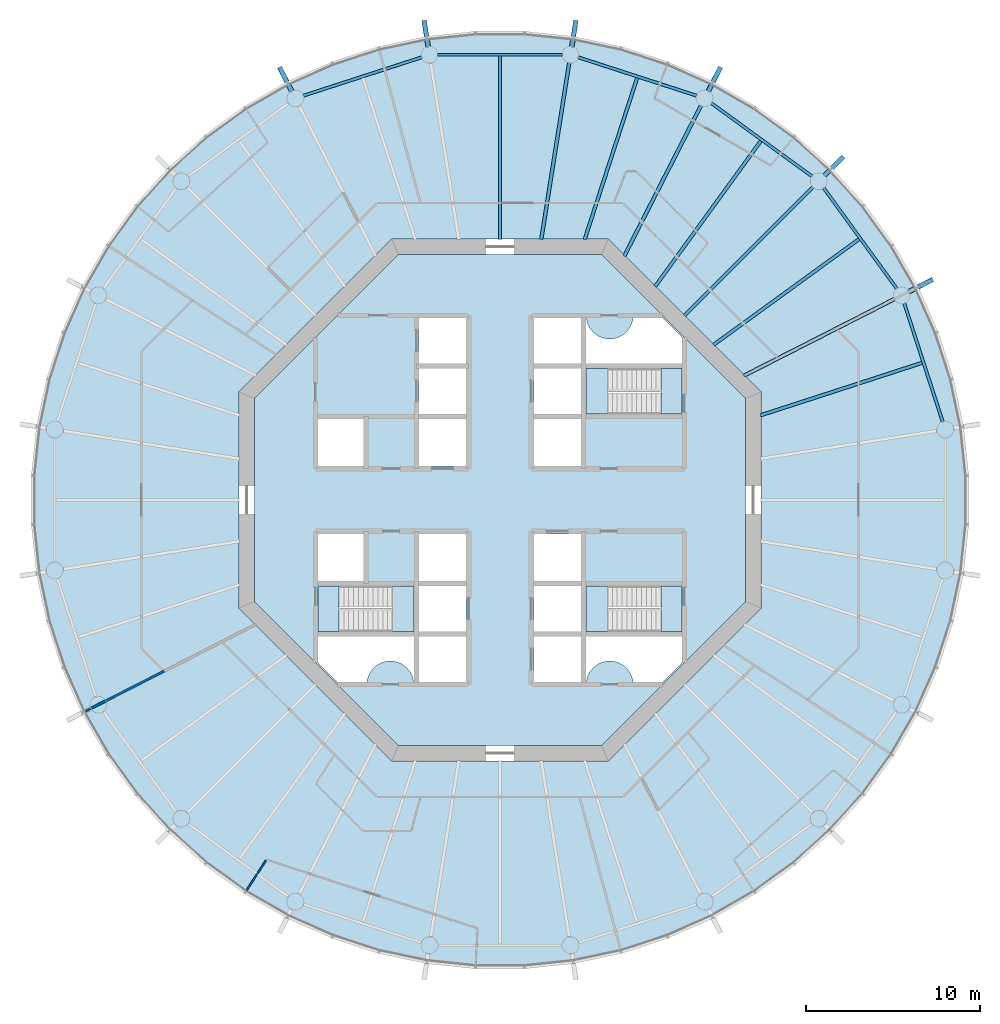
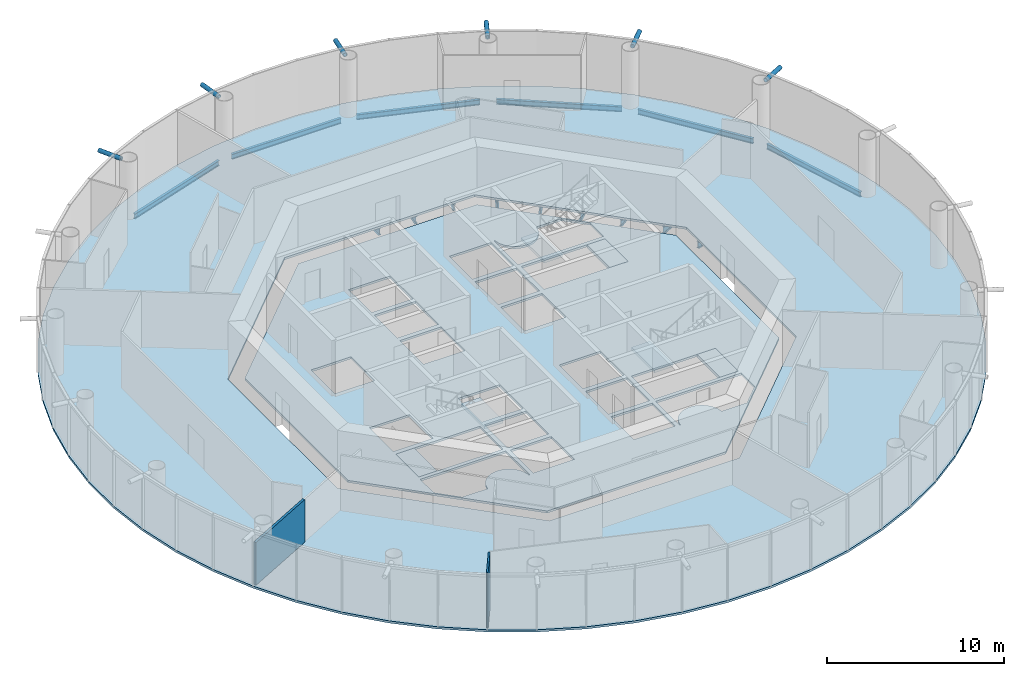
# One storey, part 2 of 13: 15 beams, 8 slabs, 6 members, 2 walls, 3 elements without a shape of their own.
"""IFC4 building model written with IfcOpenShell, lengths in metres."""

from ifc_helpers import new_model, si_unit, direction, frame, frame_2d, origin, origin_2d, place, context, subcontext, project, spatial, polyline, rectangle, circle, hollow_circle, i_section, outline, extrude, material, layer, layer_set, material_profile, profile_set, type_object, element, aggregate, save


model = new_model("IFC4")

# Units and contexts
model_context = context("Model", 3, precision=1e-05, world=origin(), true_north=direction((0.0, 1.0)))
body_context = subcontext(model_context, "Body", "Model", "MODEL_VIEW")
ifc_project = project(units=[si_unit("LENGTHUNIT", "METRE"), si_unit("AREAUNIT", "SQUARE_METRE"), si_unit("VOLUMEUNIT", "CUBIC_METRE"), si_unit("PLANEANGLEUNIT", "RADIAN"), si_unit("MASSUNIT", "GRAM", prefix="KILO")], contexts=[model_context])

# Site, building, storey
site_placement = place(None, origin())
site = spatial("IfcSite", under=ifc_project, at=site_placement, CompositionType="ELEMENT")
building_placement = place(site_placement, origin())
building = spatial("IfcBuilding", under=site, at=building_placement, Name="Entoto Ring Tower", CompositionType="ELEMENT")
storey_placement = place(building_placement, frame((0.0, 0.0, 226.0)))
storey = spatial("IfcBuildingStorey", under=building, at=storey_placement, Name="L52", CompositionType="ELEMENT", Elevation=226.0)

# Members
ifc_material_1 = material(Name="Steel S355", Category="steel")
ifc_material_profile_1 = material_profile(ifc_material_1, hollow_circle(Radius=0.136474609375, WallThickness=0.012451171875, at=origin_2d()), Name="CHS 273 x 12.5")
ifc_material_2 = material(Name="Concrete C60/75", Category="concrete")
ifc_material_profile_2 = material_profile(ifc_material_2, circle(Radius=0.1240234375, at=origin_2d()), Name="Concrete C60/75 infill")
ifc_profile_set_1 = profile_set([ifc_material_profile_1, ifc_material_profile_2], Name="Steel S355")
member_type = type_object("IfcMemberType", Name="Diagrid node strut 273 x 12.5", PredefinedType="STRUT", material=ifc_profile_set_1)
member_1_placement = place(storey_placement, frame((113.48779296875, 91.967529296875, 3.71337890625), z_axis=(0.891006809714, 0.453989939363, 0.0), x_axis=(-0.453989939363, 0.891006809714, 0.0)))
element("IfcMember", 1, at=member_1_placement, inside=storey, type_object=member_type, Name="DS2 strut ring 16 02", PredefinedType="STRUT", context=body_context, shape_type="SweptSolid", body=[
    extrude(hollow_circle(Radius=0.136474609375, WallThickness=0.012451171875, at=origin_2d()), origin(), (0.0, 0.0, 1.0), 1.5390625),
])
member_2_placement = place(storey_placement, frame((108.639892578125, 98.639892578125, 3.71337890625), z_axis=(0.707106781187, 0.707106781187, 0.0), x_axis=(-0.707106781187, 0.707106781187, 0.0)))
element("IfcMember", 2, at=member_2_placement, inside=storey, type_object=member_type, Name="DS2 strut ring 16 03", PredefinedType="STRUT", context=body_context, shape_type="SweptSolid", body=[
    extrude(hollow_circle(Radius=0.136474609375, WallThickness=0.012451171875, at=origin_2d()), origin(), (0.0, 0.0, 1.0), 1.539306640625),
])
for number, where, z_axis, x_axis, name in (
    (3, (101.967529296875, 103.48779296875, 3.71337890625), (0.453989939363, 0.891006809714, 0.0), (-0.891006809714, 0.453989939363, 0.0), "DS2 strut ring 16 04"),
    (4, (94.123779296875, 106.036376953125, 3.71337890625), (0.156418753192, 0.987690828979, 0.0), (-0.987690828979, 0.156418753192, 0.0), "DS2 strut ring 16 05"),
    (5, (85.876220703125, 106.036376953125, 3.71337890625), (-0.156418753192, 0.987690828979, 0.0), (-0.987690828979, -0.156418753192, 0.0), "DS2 strut ring 16 06"),
    (6, (78.032470703125, 103.48779296875, 3.71337890625), (-0.453989939363, 0.891006809714, 0.0), (-0.891006809714, -0.453989939363, 0.0), "DS2 strut ring 16 07"),
):
    element("IfcMember", number, at=place(storey_placement, frame(where, z_axis=z_axis, x_axis=x_axis)), inside=storey, type_object=member_type, Name=name, PredefinedType="STRUT", context=body_context, shape_type="SweptSolid", body=[
        extrude(hollow_circle(Radius=0.136474609375, WallThickness=0.012451171875, at=origin_2d()), origin(), (0.0, 0.0, 1.0), 1.5390625),
    ])

# Beams
ifc_material_3 = material(Name="Steel S355", Category="steel")
ifc_material_profile_3 = material_profile(ifc_material_3, i_section(OverallWidth=0.169921875, OverallDepth=0.360107421875, WebThickness=0.008056640625, FlangeThickness=0.0126953125, FilletRadius=0.01806640625, at=origin_2d()), Name="IPE 360")
ifc_profile_set_2 = profile_set([ifc_material_profile_3], Name="Steel S355")
beam_type_1 = type_object("IfcBeamType", Name="Edge beam IPE 360", PredefinedType="SPANDREL", material=ifc_profile_set_2)
beam_1_placement = place(storey_placement, frame((115.43505859375, 84.501220703125, -0.330078125), z_axis=(-0.309015118354, 0.951057125849, 0.0), x_axis=(-0.951057125849, -0.309015118354, 0.0)))
element("IfcBeam", 7, at=beam_1_placement, inside=storey, type_object=beam_type_1, Name="Edge beam L52 01", PredefinedType="SPANDREL", context=body_context, shape_type="SweptSolid", body=[
    extrude(i_section(OverallWidth=0.169921875, OverallDepth=0.360107421875, WebThickness=0.008056640625, FlangeThickness=0.0126953125, FilletRadius=0.01806640625, at=origin_2d()), origin(), (0.0, 0.0, 1.0), 7.157958984375),
])
for number, where, z_axis, x_axis, name in (
    (8, (112.79931640625, 92.140625, -0.330078125), (-0.587794432314, 0.809010324619, 0.0), (-0.809010324619, -0.587794432314, 0.0), "Edge beam L52 02"),
    (9, (107.931640625, 98.591796875, -0.330078125), (-0.809010324619, 0.587794432314, 0.0), (-0.587794432314, -0.809010324619, 0.0), "Edge beam L52 03"),
):
    element("IfcBeam", number, at=place(storey_placement, frame(where, z_axis=z_axis, x_axis=x_axis)), inside=storey, type_object=beam_type_1, Name=name, PredefinedType="SPANDREL", context=body_context, shape_type="SweptSolid", body=[
        extrude(i_section(OverallWidth=0.169921875, OverallDepth=0.360107421875, WebThickness=0.008056640625, FlangeThickness=0.0126953125, FilletRadius=0.01806640625, at=origin_2d()), origin(), (0.0, 0.0, 1.0), 7.158203125),
    ])
beam_2_placement = place(storey_placement, frame((101.308837890625, 103.22314453125, -0.330078125), z_axis=(-0.951057125849, 0.309015118354, 0.0), x_axis=(-0.309015118354, -0.951057125849, 0.0)))
element("IfcBeam", 10, at=beam_2_placement, inside=storey, type_object=beam_type_1, Name="Edge beam L52 04", PredefinedType="SPANDREL", context=body_context, shape_type="SweptSolid", body=[
    extrude(i_section(OverallWidth=0.169921875, OverallDepth=0.360107421875, WebThickness=0.008056640625, FlangeThickness=0.0126953125, FilletRadius=0.01806640625, at=origin_2d()), origin(), (0.0, 0.0, 1.0), 7.157958984375),
])
beam_3_placement = place(storey_placement, frame((93.5791015625, 105.5810546875, -0.330078125), z_axis=(-1.0, 0.0, 0.0), x_axis=(0.0, -1.0, 0.0)))
element("IfcBeam", 11, at=beam_3_placement, inside=storey, type_object=beam_type_1, Name="Edge beam L52 05", PredefinedType="SPANDREL", context=body_context, shape_type="SweptSolid", body=[
    extrude(i_section(OverallWidth=0.169921875, OverallDepth=0.360107421875, WebThickness=0.008056640625, FlangeThickness=0.0126953125, FilletRadius=0.01806640625, at=origin_2d()), origin(), (0.0, 0.0, 1.0), 7.158203125),
])
beam_4_placement = place(storey_placement, frame((85.498779296875, 105.43505859375, -0.330078125), z_axis=(-0.951057125849, -0.309015118354, 0.0), x_axis=(0.309015118354, -0.951057125849, 0.0)))
element("IfcBeam", 12, at=beam_4_placement, inside=storey, type_object=beam_type_1, Name="Edge beam L52 06", PredefinedType="SPANDREL", context=body_context, shape_type="SweptSolid", body=[
    extrude(i_section(OverallWidth=0.169921875, OverallDepth=0.360107421875, WebThickness=0.008056640625, FlangeThickness=0.0126953125, FilletRadius=0.01806640625, at=origin_2d()), origin(), (0.0, 0.0, 1.0), 7.157958984375),
])
ifc_material_4 = material(Name="Steel S355", Category="steel")
ifc_material_profile_4 = material_profile(ifc_material_4, i_section(OverallWidth=0.199951171875, OverallDepth=0.5, WebThickness=0.01025390625, FlangeThickness=0.01611328125, FilletRadius=0.02099609375, at=origin_2d()), Name="IPE 500")
ifc_profile_set_3 = profile_set([ifc_material_profile_4], Name="Steel S355")
beam_type_2 = type_object("IfcBeamType", Name="Primary floor beam IPE 500", PredefinedType="BEAM", material=ifc_profile_set_3)
beam_5_placement = place(storey_placement, frame((104.006103515625, 87.136474609375, -0.39990234375), z_axis=(0.891012442297, 0.45397888461, 0.0), x_axis=(-0.45397888461, 0.891012442297, 0.0)))
element("IfcBeam", 13, at=beam_5_placement, inside=storey, type_object=beam_type_2, Name="Primary L52 R02", PredefinedType="BEAM", context=body_context, shape_type="SweptSolid", body=[
    extrude(i_section(OverallWidth=0.199951171875, OverallDepth=0.5, WebThickness=0.01025390625, FlangeThickness=0.01611328125, FilletRadius=0.02099609375, at=origin_2d()), origin(), (0.0, 0.0, 1.0), 9.710693359375),
])
beam_6_placement = place(storey_placement, frame((100.592529296875, 90.592529296875, -0.39990234375), z_axis=(0.707106781187, 0.707106781187, 0.0), x_axis=(-0.707106781187, 0.707106781187, 0.0)))
element("IfcBeam", 14, at=beam_6_placement, inside=storey, type_object=beam_type_2, Name="Primary L52 R03", PredefinedType="BEAM", context=body_context, shape_type="SweptSolid", body=[
    extrude(i_section(OverallWidth=0.199951171875, OverallDepth=0.5, WebThickness=0.01025390625, FlangeThickness=0.01611328125, FilletRadius=0.02099609375, at=origin_2d()), origin(), (0.0, 0.0, 1.0), 10.4501953125),
])
beam_7_placement = place(storey_placement, frame((97.136474609375, 94.006103515625, -0.39990234375), z_axis=(0.45397888461, 0.891012442297, 0.0), x_axis=(-0.891012442297, 0.45397888461, 0.0)))
element("IfcBeam", 15, at=beam_7_placement, inside=storey, type_object=beam_type_2, Name="Primary L52 R04", PredefinedType="BEAM", context=body_context, shape_type="SweptSolid", body=[
    extrude(i_section(OverallWidth=0.199951171875, OverallDepth=0.5, WebThickness=0.01025390625, FlangeThickness=0.01611328125, FilletRadius=0.02099609375, at=origin_2d()), origin(), (0.0, 0.0, 1.0), 9.710693359375),
])
beam_8_placement = place(storey_placement, frame((92.3701171875, 94.964599609375, -0.39990234375), z_axis=(0.156451644281, 0.987685619518, 0.0), x_axis=(-0.987685619518, 0.156451644281, 0.0)))
element("IfcBeam", 16, at=beam_8_placement, inside=storey, type_object=beam_type_2, Name="Primary L52 R05", PredefinedType="BEAM", context=body_context, shape_type="SweptSolid", body=[
    extrude(i_section(OverallWidth=0.199951171875, OverallDepth=0.5, WebThickness=0.01025390625, FlangeThickness=0.01611328125, FilletRadius=0.02099609375, at=origin_2d()), origin(), (0.0, 0.0, 1.0), 10.27880859375),
])
ifc_material_5 = material(Name="Steel S355", Category="steel")
ifc_material_profile_5 = material_profile(ifc_material_5, i_section(OverallWidth=0.18994140625, OverallDepth=0.449951171875, WebThickness=0.009521484375, FlangeThickness=0.0146484375, FilletRadius=0.02099609375, at=origin_2d()), Name="IPE 450")
ifc_profile_set_4 = profile_set([ifc_material_profile_5], Name="Steel S355")
beam_type_3 = type_object("IfcBeamType", Name="Secondary floor beam IPE 450", PredefinedType="JOIST", material=ifc_profile_set_4)
beam_9_placement = place(storey_placement, frame((104.95166015625, 84.858154296875, -0.375), z_axis=(0.951061045963, 0.309003053144, 0.0), x_axis=(-0.309003053144, 0.951061045963, 0.0)))
element("IfcBeam", 17, at=beam_9_placement, inside=storey, type_object=beam_type_3, Name="Secondary beam L52 01", PredefinedType="JOIST", context=body_context, shape_type="SweptSolid", body=[
    extrude(i_section(OverallWidth=0.18994140625, OverallDepth=0.449951171875, WebThickness=0.009521484375, FlangeThickness=0.0146484375, FilletRadius=0.02099609375, at=origin_2d()), origin(), (0.0, 0.0, 1.0), 9.77490234375),
])
for number, where, z_axis, x_axis, name in (
    (18, (102.258056640625, 88.906005859375, -0.375), (0.809010538485, 0.58779413796, 0.0), (-0.58779413796, 0.809010538485, 0.0), "Secondary beam L52 02"),
    (19, (98.906005859375, 92.258056640625, -0.375), (0.58779413796, 0.809010538485, 0.0), (-0.809010538485, 0.58779413796, 0.0), "Secondary beam L52 03"),
):
    element("IfcBeam", number, at=place(storey_placement, frame(where, z_axis=z_axis, x_axis=x_axis)), inside=storey, type_object=beam_type_3, Name=name, PredefinedType="JOIST", context=body_context, shape_type="SweptSolid", body=[
        extrude(i_section(OverallWidth=0.18994140625, OverallDepth=0.449951171875, WebThickness=0.009521484375, FlangeThickness=0.0146484375, FilletRadius=0.02099609375, at=origin_2d()), origin(), (0.0, 0.0, 1.0), 10.34423828125),
    ])
beam_10_placement = place(storey_placement, frame((94.858154296875, 94.95166015625, -0.375), z_axis=(0.309003053144, 0.951061045963, 0.0), x_axis=(-0.951061045963, 0.309003053144, 0.0)))
element("IfcBeam", 20, at=beam_10_placement, inside=storey, type_object=beam_type_3, Name="Secondary beam L52 04", PredefinedType="JOIST", context=body_context, shape_type="SweptSolid", body=[
    extrude(i_section(OverallWidth=0.18994140625, OverallDepth=0.449951171875, WebThickness=0.009521484375, FlangeThickness=0.0146484375, FilletRadius=0.02099609375, at=origin_2d()), origin(), (0.0, 0.0, 1.0), 9.77490234375),
])
beam_11_placement = place(storey_placement, frame((90.0, 94.97998046875, -0.375), z_axis=(0.0, 1.0, 0.0), x_axis=(-1.0, 0.0, 0.0)))
element("IfcBeam", 21, at=beam_11_placement, inside=storey, type_object=beam_type_3, Name="Secondary beam L52 05", PredefinedType="JOIST", context=body_context, shape_type="SweptSolid", body=[
    extrude(i_section(OverallWidth=0.18994140625, OverallDepth=0.449951171875, WebThickness=0.009521484375, FlangeThickness=0.0146484375, FilletRadius=0.02099609375, at=origin_2d()), origin(), (0.0, 0.0, 1.0), 10.51611328125),
])

# Slabs
ifc_material_6 = material(Name="Concrete C30/37", Category="concrete")
ifc_layer_1 = layer(ifc_material_6, 0.14990234375)
ifc_layer_set_1 = layer_set([ifc_layer_1], Name="Concrete C30/37")
slab_type_1 = type_object("IfcSlabType", Name="Composite floor slab 150 mm", PredefinedType="FLOOR", material=ifc_layer_set_1)
slab_1_placement = place(storey_placement, frame((0.0, 0.0, -0.14990234375)))
element("IfcSlab", 22, at=slab_1_placement, inside=storey, type_object=slab_type_1, Name="Floor slab L52", PredefinedType="FLOOR", context=body_context, shape_type="SweptSolid", body=[
    extrude(outline(polyline([(116.56884765625, 84.2080078125), (115.9833984375, 86.962158203125), (115.11328125, 89.64013671875), (113.968017578125, 92.21240234375), (112.560302734375, 94.65087890625), (110.9052734375, 96.9287109375), (109.021240234375, 99.021240234375), (106.9287109375, 100.9052734375), (104.65087890625, 102.560302734375), (102.21240234375, 103.968017578125), (99.64013671875, 105.11328125), (96.962158203125, 105.9833984375), (94.2080078125, 106.56884765625), (91.407958984375, 106.863037109375), (88.592041015625, 106.863037109375), (85.7919921875, 106.56884765625), (83.037841796875, 105.9833984375), (80.35986328125, 105.11328125), (77.78759765625, 103.968017578125), (75.34912109375, 102.560302734375), (73.0712890625, 100.9052734375), (70.978759765625, 99.021240234375), (69.0947265625, 96.9287109375), (67.439697265625, 94.65087890625), (66.031982421875, 92.21240234375), (64.88671875, 89.64013671875), (64.0166015625, 86.962158203125), (63.43115234375, 84.2080078125), (63.136962890625, 81.407958984375), (63.136962890625, 78.592041015625), (63.43115234375, 75.7919921875), (64.0166015625, 73.037841796875), (64.88671875, 70.35986328125), (66.031982421875, 67.78759765625), (67.439697265625, 65.34912109375), (69.0947265625, 63.0712890625), (70.978759765625, 60.978759765625), (73.0712890625, 59.0947265625), (75.34912109375, 57.439697265625), (77.78759765625, 56.031982421875), (80.35986328125, 54.88671875), (83.037841796875, 54.0166015625), (85.7919921875, 53.43115234375), (88.592041015625, 53.136962890625), (91.407958984375, 53.136962890625), (94.2080078125, 53.43115234375), (96.962158203125, 54.0166015625), (99.64013671875, 54.88671875), (102.21240234375, 56.031982421875), (104.65087890625, 57.439697265625), (106.9287109375, 59.0947265625), (109.021240234375, 60.978759765625), (110.9052734375, 63.0712890625), (112.560302734375, 65.34912109375), (113.968017578125, 67.78759765625), (115.11328125, 70.35986328125), (115.9833984375, 73.037841796875), (116.56884765625, 75.7919921875), (116.863037109375, 78.592041015625), (116.863037109375, 81.407958984375), (116.56884765625, 84.2080078125)]), holes=[polyline([(105.0, 73.786865234375), (105.0, 86.213134765625), (96.213134765625, 95.0), (83.786865234375, 95.0), (75.0, 86.213134765625), (75.0, 73.786865234375), (83.786865234375, 65.0), (96.213134765625, 65.0), (105.0, 73.786865234375)])]), origin(), (0.0, 0.0, 1.0), 0.14990234375),
])
ifc_material_7 = material(Name="Concrete C40/50", Category="concrete")
ifc_layer_2 = layer(ifc_material_7, 0.14990234375)
ifc_layer_set_2 = layer_set([ifc_layer_2], Name="Concrete C40/50")
slab_type_2 = type_object("IfcSlabType", Name="Core floor slab 150 mm reinforced concrete C40/50", PredefinedType="FLOOR", material=ifc_layer_set_2)
slab_2_placement = place(storey_placement, frame((0.0, 0.0, -0.14990234375)))
element("IfcSlab", 23, at=slab_2_placement, inside=storey, type_object=slab_type_2, Name="Core floor L52", PredefinedType="FLOOR", context=body_context, shape_type="SweptSolid", body=[
    extrude(outline(polyline([(104.10009765625, 74.15966796875), (104.10009765625, 85.84033203125), (95.84033203125, 94.10009765625), (84.15966796875, 94.10009765625), (75.89990234375, 85.84033203125), (75.89990234375, 74.15966796875), (84.15966796875, 65.89990234375), (95.84033203125, 65.89990234375), (104.10009765625, 74.15966796875)]), holes=[polyline([(100.449951171875, 84.949951171875), (100.449951171875, 87.550048828125), (94.949951171875, 87.550048828125), (94.949951171875, 84.949951171875), (100.449951171875, 84.949951171875)]), polyline([(85.050048828125, 72.449951171875), (85.050048828125, 75.050048828125), (79.550048828125, 75.050048828125), (79.550048828125, 72.449951171875), (85.050048828125, 72.449951171875)]), polyline([(100.449951171875, 72.449951171875), (100.449951171875, 75.050048828125), (94.949951171875, 75.050048828125), (94.949951171875, 72.449951171875), (100.449951171875, 72.449951171875)]), polyline([(91.949951171875, 84.949951171875), (94.64990234375, 84.949951171875), (94.64990234375, 87.550048828125), (91.949951171875, 87.550048828125), (91.949951171875, 84.949951171875)]), polyline([(91.949951171875, 72.449951171875), (94.64990234375, 72.449951171875), (94.64990234375, 75.050048828125), (91.949951171875, 75.050048828125), (91.949951171875, 72.449951171875)]), polyline([(91.949951171875, 69.550048828125), (94.64990234375, 69.550048828125), (94.64990234375, 72.14990234375), (91.949951171875, 72.14990234375), (91.949951171875, 69.550048828125)]), polyline([(85.35009765625, 72.449951171875), (88.050048828125, 72.449951171875), (88.050048828125, 75.050048828125), (85.35009765625, 75.050048828125), (85.35009765625, 72.449951171875)]), polyline([(85.35009765625, 81.949951171875), (88.050048828125, 81.949951171875), (88.050048828125, 84.64990234375), (85.35009765625, 84.64990234375), (85.35009765625, 81.949951171875)]), polyline([(91.949951171875, 75.35009765625), (94.64990234375, 75.35009765625), (94.64990234375, 78.050048828125), (91.949951171875, 78.050048828125), (91.949951171875, 75.35009765625)]), polyline([(79.550048828125, 81.949951171875), (82.14990234375, 81.949951171875), (82.14990234375, 84.64990234375), (79.550048828125, 84.64990234375), (79.550048828125, 81.949951171875)]), polyline([(79.550048828125, 75.35009765625), (82.14990234375, 75.35009765625), (82.14990234375, 78.050048828125), (79.550048828125, 78.050048828125), (79.550048828125, 75.35009765625)]), polyline([(91.949951171875, 87.85009765625), (94.64990234375, 87.85009765625), (94.64990234375, 90.449951171875), (91.949951171875, 90.449951171875), (91.949951171875, 87.85009765625)]), polyline([(85.35009765625, 69.550048828125), (88.050048828125, 69.550048828125), (88.050048828125, 72.14990234375), (85.35009765625, 72.14990234375), (85.35009765625, 69.550048828125)]), polyline([(91.949951171875, 81.949951171875), (94.64990234375, 81.949951171875), (94.64990234375, 84.64990234375), (91.949951171875, 84.64990234375), (91.949951171875, 81.949951171875)]), polyline([(85.35009765625, 75.35009765625), (88.050048828125, 75.35009765625), (88.050048828125, 78.050048828125), (85.35009765625, 78.050048828125), (85.35009765625, 75.35009765625)]), polyline([(85.35009765625, 84.949951171875), (88.050048828125, 84.949951171875), (88.050048828125, 87.550048828125), (85.35009765625, 87.550048828125), (85.35009765625, 84.949951171875)]), polyline([(85.35009765625, 87.85009765625), (88.050048828125, 87.85009765625), (88.050048828125, 90.449951171875), (85.35009765625, 90.449951171875), (85.35009765625, 87.85009765625)]), polyline([(94.89990234375, 90.5), (94.89990234375, 87.800048828125), (100.5, 87.800048828125), (100.5, 89.299072265625), (99.299072265625, 90.5), (97.64501953125, 90.5), (97.6435546875, 90.4677734375), (97.6240234375, 90.336669921875), (97.591796875, 90.2080078125), (97.547119140625, 90.08349609375), (97.490478515625, 89.963623046875), (97.422607421875, 89.85009765625), (97.343505859375, 89.74365234375), (97.254638671875, 89.6455078125), (97.156494140625, 89.556396484375), (97.050048828125, 89.4775390625), (96.936279296875, 89.409423828125), (96.816650390625, 89.352783203125), (96.69189453125, 89.30810546875), (96.5634765625, 89.27587890625), (96.432373046875, 89.256591796875), (96.300048828125, 89.25), (96.167724609375, 89.256591796875), (96.03662109375, 89.27587890625), (95.908203125, 89.30810546875), (95.783447265625, 89.352783203125), (95.66357421875, 89.409423828125), (95.550048828125, 89.4775390625), (95.443603515625, 89.556396484375), (95.345458984375, 89.6455078125), (95.25634765625, 89.74365234375), (95.177490234375, 89.85009765625), (95.109375, 89.963623046875), (95.052734375, 90.08349609375), (95.008056640625, 90.2080078125), (94.975830078125, 90.336669921875), (94.95654296875, 90.4677734375), (94.954833984375, 90.5), (94.89990234375, 90.5)]), polyline([(79.5, 70.700927734375), (80.700927734375, 69.5), (82.35498046875, 69.5), (82.3564453125, 69.5322265625), (82.3759765625, 69.663330078125), (82.408203125, 69.7919921875), (82.452880859375, 69.91650390625), (82.509521484375, 70.036376953125), (82.577392578125, 70.14990234375), (82.656494140625, 70.25634765625), (82.745361328125, 70.3544921875), (82.843505859375, 70.443603515625), (82.949951171875, 70.5224609375), (83.063720703125, 70.590576171875), (83.183349609375, 70.647216796875), (83.30810546875, 70.69189453125), (83.4365234375, 70.72412109375), (83.567626953125, 70.743408203125), (83.699951171875, 70.75), (83.832275390625, 70.743408203125), (83.96337890625, 70.72412109375), (84.091796875, 70.69189453125), (84.216552734375, 70.647216796875), (84.33642578125, 70.590576171875), (84.449951171875, 70.5224609375), (84.556396484375, 70.443603515625), (84.654541015625, 70.3544921875), (84.74365234375, 70.25634765625), (84.822509765625, 70.14990234375), (84.890625, 70.036376953125), (84.947265625, 69.91650390625), (84.991943359375, 69.7919921875), (85.024169921875, 69.663330078125), (85.04345703125, 69.5322265625), (85.045166015625, 69.5), (85.10009765625, 69.5), (85.10009765625, 72.199951171875), (79.5, 72.199951171875), (79.5, 70.700927734375)]), polyline([(97.64501953125, 69.5), (99.299072265625, 69.5), (100.5, 70.700927734375), (100.5, 72.199951171875), (94.89990234375, 72.199951171875), (94.89990234375, 69.5), (94.954833984375, 69.5), (94.95654296875, 69.5322265625), (94.975830078125, 69.663330078125), (95.008056640625, 69.7919921875), (95.052734375, 69.91650390625), (95.109375, 70.036376953125), (95.177490234375, 70.14990234375), (95.25634765625, 70.25634765625), (95.345458984375, 70.3544921875), (95.443603515625, 70.443603515625), (95.550048828125, 70.5224609375), (95.66357421875, 70.590576171875), (95.783447265625, 70.647216796875), (95.908203125, 70.69189453125), (96.03662109375, 70.72412109375), (96.167724609375, 70.743408203125), (96.300048828125, 70.75), (96.432373046875, 70.743408203125), (96.5634765625, 70.72412109375), (96.69189453125, 70.69189453125), (96.816650390625, 70.647216796875), (96.936279296875, 70.590576171875), (97.050048828125, 70.5224609375), (97.156494140625, 70.443603515625), (97.254638671875, 70.3544921875), (97.343505859375, 70.25634765625), (97.422607421875, 70.14990234375), (97.490478515625, 70.036376953125), (97.547119140625, 69.91650390625), (97.591796875, 69.7919921875), (97.6240234375, 69.663330078125), (97.6435546875, 69.5322265625), (97.64501953125, 69.5)])]), origin(), (0.0, 0.0, 1.0), 0.14990234375),
])

# Stair, slabs
ifc_material_8 = material(Name="Concrete C40/50", Category="concrete")
stair_type = type_object("IfcStairType", Name="Exit stair 1200 mm dog-leg reinforced concrete", PredefinedType="HALF_TURN_STAIR", material=ifc_material_8)
stair_1_placement = place(storey_placement, origin())
stair_1 = element("IfcStair", 24, at=stair_1_placement, inside=storey, type_object=stair_type, Name="Exit stair 1", PredefinedType="HALF_TURN_STAIR")
ifc_material_9 = material(Name="Concrete C40/50", Category="concrete")
ifc_layer_3 = layer(ifc_material_9, 0.199951171875)
ifc_layer_set_3 = layer_set([ifc_layer_3], Name="Concrete C40/50")
slab_type_3 = type_object("IfcSlabType", Name="Stair landing 200 mm reinforced concrete", PredefinedType="LANDING", material=ifc_layer_set_3)
slab_3_placement = place(storey_placement, frame((0.0, 0.0, -0.199951171875)))
slab_3 = element("IfcSlab", 25, at=slab_3_placement, type_object=slab_type_3, Name="ST1 landing 1", PredefinedType="LANDING", context=body_context, shape_type="SweptSolid", body=[
    extrude(outline(polyline([(100.449951171875, 84.949951171875), (100.449951171875, 87.550048828125), (99.25, 87.550048828125), (99.25, 84.949951171875), (100.449951171875, 84.949951171875)])), origin(), (0.0, 0.0, 1.0), 0.199951171875),
])
slab_4_placement = place(storey_placement, frame((0.0, 0.0, 1.800048828125)))
slab_4 = element("IfcSlab", 26, at=slab_4_placement, type_object=slab_type_3, Name="ST1 landing 2", PredefinedType="LANDING", context=body_context, shape_type="SweptSolid", body=[
    extrude(outline(polyline([(94.949951171875, 84.949951171875), (96.169921875, 84.949951171875), (96.169921875, 87.550048828125), (94.949951171875, 87.550048828125), (94.949951171875, 84.949951171875)])), origin(), (0.0, 0.0, 1.0), 0.199951171875),
])
aggregate(stair_1, [slab_3, slab_4])

stair_2_placement = place(storey_placement, origin())
stair_2 = element("IfcStair", 27, at=stair_2_placement, inside=storey, type_object=stair_type, Name="Exit stair 2", PredefinedType="HALF_TURN_STAIR")
slab_5_placement = place(storey_placement, frame((0.0, 0.0, -0.199951171875)))
slab_5 = element("IfcSlab", 28, at=slab_5_placement, type_object=slab_type_3, Name="ST2 landing 1", PredefinedType="LANDING", context=body_context, shape_type="SweptSolid", body=[
    extrude(outline(polyline([(80.75, 72.449951171875), (80.75, 75.050048828125), (79.550048828125, 75.050048828125), (79.550048828125, 72.449951171875), (80.75, 72.449951171875)])), origin(), (0.0, 0.0, 1.0), 0.199951171875),
])
slab_6_placement = place(storey_placement, frame((0.0, 0.0, 1.800048828125)))
slab_6 = element("IfcSlab", 29, at=slab_6_placement, type_object=slab_type_3, Name="ST2 landing 2", PredefinedType="LANDING", context=body_context, shape_type="SweptSolid", body=[
    extrude(outline(polyline([(83.830078125, 72.449951171875), (85.050048828125, 72.449951171875), (85.050048828125, 75.050048828125), (83.830078125, 75.050048828125), (83.830078125, 72.449951171875)])), origin(), (0.0, 0.0, 1.0), 0.199951171875),
])
aggregate(stair_2, [slab_5, slab_6])

stair_3_placement = place(storey_placement, origin())
stair_3 = element("IfcStair", 30, at=stair_3_placement, inside=storey, type_object=stair_type, Name="Exit stair 3", PredefinedType="HALF_TURN_STAIR")
slab_7_placement = place(storey_placement, frame((0.0, 0.0, -0.199951171875)))
slab_7 = element("IfcSlab", 31, at=slab_7_placement, type_object=slab_type_3, Name="ST3 landing 1", PredefinedType="LANDING", context=body_context, shape_type="SweptSolid", body=[
    extrude(outline(polyline([(100.449951171875, 72.449951171875), (100.449951171875, 75.050048828125), (99.25, 75.050048828125), (99.25, 72.449951171875), (100.449951171875, 72.449951171875)])), origin(), (0.0, 0.0, 1.0), 0.199951171875),
])
slab_8_placement = place(storey_placement, frame((0.0, 0.0, 1.800048828125)))
slab_8 = element("IfcSlab", 32, at=slab_8_placement, type_object=slab_type_3, Name="ST3 landing 2", PredefinedType="LANDING", context=body_context, shape_type="SweptSolid", body=[
    extrude(outline(polyline([(94.949951171875, 72.449951171875), (96.169921875, 72.449951171875), (96.169921875, 75.050048828125), (94.949951171875, 75.050048828125), (94.949951171875, 72.449951171875)])), origin(), (0.0, 0.0, 1.0), 0.199951171875),
])
aggregate(stair_3, [slab_7, slab_8])

# Walls
ifc_material_10 = material(Name="Plasterboard on steel studs", Category="steel")
ifc_layer_4 = layer(ifc_material_10, 0.10009765625)
ifc_layer_set_4 = layer_set([ifc_layer_4], Name="Plasterboard on steel studs")
wall_type_1 = type_object("IfcWallType", Name="Partition 100 mm plasterboard on steel studs", PredefinedType="PARTITIONING", material=ifc_layer_set_4)
wall_1_placement = place(storey_placement, frame((75.436279296875, 57.573974609375, 0.0), z_axis=(0.0, 0.0, 1.0), x_axis=(0.544666304989, 0.838652857987, 0.0)))
element("IfcWall", 33, at=wall_1_placement, inside=storey, type_object=wall_type_1, Name="partition-L52-035", PredefinedType="PARTITIONING", context=body_context, shape_type="SweptSolid", body=[
    extrude(rectangle(XDim=2.052001953125, YDim=0.10009765625, at=frame_2d((1.02587890625, 0.0))), origin(), (0.0, 0.0, 1.0), 3.85009765625),
])
ifc_material_11 = material(Name="Fire-resisting acoustic plasterboard on steel studs", Category="steel")
ifc_layer_5 = layer(ifc_material_11, 0.14990234375)
ifc_layer_set_5 = layer_set([ifc_layer_5], Name="Fire-resisting acoustic plasterboard on steel studs")
wall_type_2 = type_object("IfcWallType", Name="Party wall 150 mm one-hour acoustic plasterboard on steel studs, 2950 mm high", PredefinedType="PARTITIONING", material=ifc_layer_set_5)
wall_2_placement = place(storey_placement, frame((66.174560546875, 67.8603515625, 0.0), z_axis=(0.0, 0.0, 1.0), x_axis=(0.891008318763, 0.453986977671, 0.0)))
element("IfcWall", 34, at=wall_2_placement, inside=storey, type_object=wall_type_2, Name="partition-L52-022", PredefinedType="PARTITIONING", context=body_context, shape_type="SweptSolid", body=[
    extrude(rectangle(XDim=5.079833984375, YDim=0.14990234375, at=frame_2d((2.5400390625, 0.0))), origin(), (0.0, 0.0, 1.0), 2.949951171875),
])

save(model, "model.ifc")
